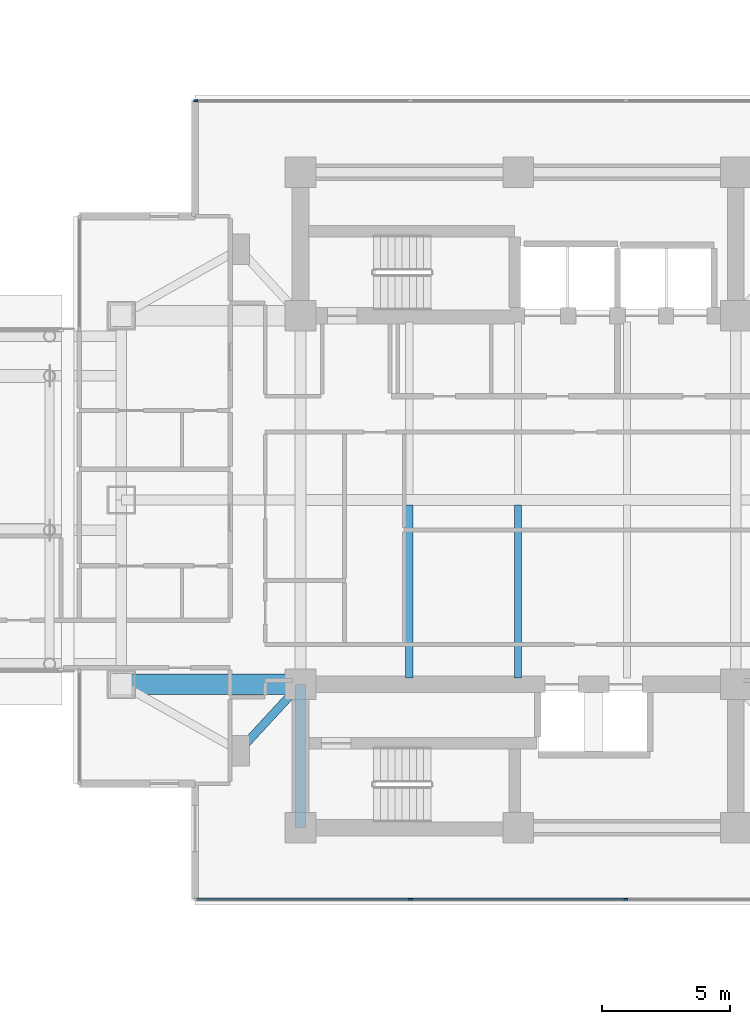
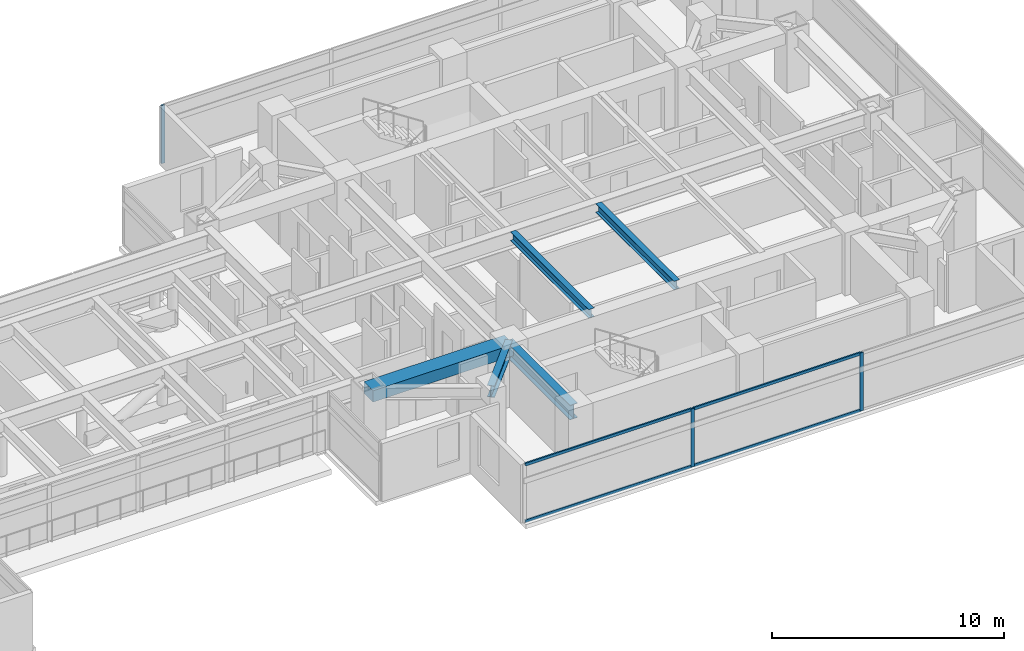
# One storey, part 8 of 29: 7 members, 5 beams, 2 elements without a shape of their own.
"""IFC4 building model written with IfcOpenShell, lengths in metres."""

from ifc_helpers import new_model, si_unit, direction, frame, origin, origin_2d, place, context, subcontext, project, spatial, rectangle, i_section, extrude, material, material_profile, profile_set, type_object, element, aggregate, save


model = new_model("IFC4")

# Units and contexts
model_context = context("Model", 3, precision=1e-05, world=origin(), true_north=direction((0.0, 1.0)))
body_context = subcontext(model_context, "Body", "Model", "MODEL_VIEW")
ifc_project = project(units=[si_unit("LENGTHUNIT", "METRE"), si_unit("AREAUNIT", "SQUARE_METRE"), si_unit("VOLUMEUNIT", "CUBIC_METRE"), si_unit("PLANEANGLEUNIT", "RADIAN"), si_unit("MASSUNIT", "GRAM", prefix="KILO")], contexts=[model_context])

# Site, building, storey
site_placement = place(None, origin())
site = spatial("IfcSite", under=ifc_project, at=site_placement, CompositionType="ELEMENT")
building_placement = place(site_placement, origin())
building = spatial("IfcBuilding", under=site, at=building_placement, Name="Mirazonda Arch Towers", CompositionType="ELEMENT")
storey_placement = place(building_placement, frame((0.0, 0.0, 88.39990234375)))
storey = spatial("IfcBuildingStorey", under=building, at=storey_placement, Name="L24", CompositionType="ELEMENT", Elevation=88.39990234375)

# Beams
ifc_material_1 = material(Name="Steel ASTM A992 Grade 50", Category="steel")
ifc_material_profile_1 = material_profile(ifc_material_1, i_section(OverallWidth=0.280029296875, OverallDepth=0.462890625, WebThickness=0.0107421875, FlangeThickness=0.017333984375, at=origin_2d()), Name="W18X76")
ifc_profile_set_1 = profile_set([ifc_material_profile_1], Name="Steel ASTM A992 Grade 50")
beam_type_1 = type_object("IfcBeamType", Name="BM-INT-W18X76", PredefinedType="JOIST", material=ifc_profile_set_1)
for number, where, z_axis, x_axis, name in (
    (1, (72.25, 21.0400390625, 2.8486328125), (0.0, 1.0, 0.0), (-1.0, 0.0, 0.0), "L24 Floor Beam BM-T2-L24-J-722-20"),
    (2, (76.5, 21.0400390625, 2.8486328125), (0.0, 1.0, 0.0), (-1.0, 0.0, 0.0), "L24 Floor Beam BM-T2-L24-J-765-20"),
):
    element("IfcBeam", number, at=place(storey_placement, frame(where, z_axis=z_axis, x_axis=x_axis)), inside=storey, type_object=beam_type_1, Name=name, PredefinedType="JOIST", context=body_context, shape_type="SweptSolid", body=[
        extrude(i_section(OverallWidth=0.280029296875, OverallDepth=0.462890625, WebThickness=0.0107421875, FlangeThickness=0.017333984375, at=origin_2d()), origin(), (0.0, 0.0, 1.0), 6.7548828125),
    ])
ifc_material_profile_2 = material_profile(ifc_material_1, i_section(OverallWidth=0.324951171875, OverallDepth=0.615966796875, WebThickness=0.013916015625, FlangeThickness=0.021484375, at=origin_2d()), Name="W24X117")
ifc_profile_set_2 = profile_set([ifc_material_profile_2], Name="Steel ASTM A992 Grade 50")
beam_type_2 = type_object("IfcBeamType", Name="BM-INT-W24X117", PredefinedType="BEAM", material=ifc_profile_set_2)
beam_1_placement = place(storey_placement, frame((65.60009765625, 18.199951171875, 2.772216796875), z_axis=(0.678251444854, 0.734829897019, 0.0), x_axis=(-0.734829897019, 0.678251444854, 0.0)))
element("IfcBeam", 3, at=beam_1_placement, inside=storey, type_object=beam_type_2, Name="L24 Floor Beam BM-T2-L24-PL-SW1", PredefinedType="BEAM", context=body_context, shape_type="SweptSolid", body=[
    extrude(i_section(OverallWidth=0.324951171875, OverallDepth=0.615966796875, WebThickness=0.013916015625, FlangeThickness=0.021484375, at=origin_2d()), origin(), (0.0, 0.0, 1.0), 3.538330078125),
])
ifc_material_profile_3 = material_profile(ifc_material_1, i_section(OverallWidth=0.381103515625, OverallDepth=0.77294921875, WebThickness=0.0166015625, FlangeThickness=0.027099609375, at=origin_2d()), Name="W30X173")
ifc_profile_set_3 = profile_set([ifc_material_profile_3], Name="Steel ASTM A992 Grade 50")
beam_type_3 = type_object("IfcBeamType", Name="BM-INT-W30X173", PredefinedType="USERDEFINED", material=ifc_profile_set_3)
beam_2_placement = place(storey_placement, frame((68.0, 15.199951171875, 2.693603515625), z_axis=(0.0, 1.0, 0.0), x_axis=(-1.0, 0.0, 0.0)))
element("IfcBeam", 4, at=beam_2_placement, inside=storey, type_object=beam_type_3, Name="L24 Floor Beam BM-T2-L24-CSW", ObjectType="GIRDER", PredefinedType="USERDEFINED", context=body_context, shape_type="SweptSolid", body=[
    extrude(i_section(OverallWidth=0.381103515625, OverallDepth=0.77294921875, WebThickness=0.0166015625, FlangeThickness=0.027099609375, at=origin_2d()), origin(), (0.0, 0.0, 1.0), 5.60009765625),
])
ifc_material_2 = material(Name="Concrete C60/75", Category="concrete")
ifc_material_profile_4 = material_profile(ifc_material_2, rectangle(XDim=0.800048828125, YDim=0.60009765625, at=origin_2d()), Name="RCCB800x600")
ifc_profile_set_4 = profile_set([ifc_material_profile_4], Name="Concrete C60/75")
beam_type_4 = type_object("IfcBeamType", Name="CB-INT-RCCB800x600", PredefinedType="SPANDREL", material=ifc_profile_set_4)
beam_3_placement = place(storey_placement, frame((61.0, 20.800048828125, 2.780029296875), z_axis=(1.0, 0.0, 0.0), x_axis=(0.0, 1.0, 0.0)))
element("IfcBeam", 5, at=beam_3_placement, inside=storey, type_object=beam_type_4, Name="L24 Floor Beam CBC-T2-L24-SW", PredefinedType="SPANDREL", context=body_context, shape_type="SweptSolid", body=[
    extrude(rectangle(XDim=0.800048828125, YDim=0.60009765625, at=origin_2d()), origin(), (0.0, 0.0, 1.0), 7.0),
])

# Curtain wall, members
ifc_material_3 = material(Name="Anodised Aluminium and Low-E Glass", Category="aluminium")
curtain_wall_type = type_object("IfcCurtainWallType", Name="CW-HTL-UNIT", PredefinedType="NOTDEFINED", material=ifc_material_3)
curtain_wall_1_placement = place(storey_placement, origin())
curtain_wall_1 = element("IfcCurtainWall", 6, at=curtain_wall_1_placement, inside=storey, type_object=curtain_wall_type, Name="L24 T2 S Facade CW-L24-T2-S", PredefinedType="NOTDEFINED")
ifc_material_4 = material(Name="Anodised Aluminium Alloy", Category="aluminium")
ifc_material_profile_5 = material_profile(ifc_material_4, rectangle(XDim=0.074951171875, YDim=0.1650390625, at=origin_2d()), Name="ALU-MULL-75x165")
ifc_profile_set_5 = profile_set([ifc_material_profile_5], Name="Anodised Aluminium Alloy")
member_type_1 = type_object("IfcMemberType", Name="MULL-CW-HTL-UNIT", PredefinedType="MULLION", material=ifc_profile_set_5)
member_1_placement = place(storey_placement, frame((80.708740234375, 12.402587890625, 0.0), z_axis=(0.0, 0.0, 1.0), x_axis=(0.0, -1.0, 0.0)))
member_1 = element("IfcMember", 7, at=member_1_placement, type_object=member_type_1, Name="CW-112 mullion 2", PredefinedType="MULLION", context=body_context, shape_type="SweptSolid", body=[
    extrude(rectangle(XDim=0.074951171875, YDim=0.1650390625, at=origin_2d()), origin(), (0.0, 0.0, 1.0), 3.06005859375),
])
member_2_placement = place(storey_placement, frame((72.291259765625, 12.402587890625, 0.0), z_axis=(0.0, 0.0, 1.0), x_axis=(0.0, -1.0, 0.0)))
member_2 = element("IfcMember", 8, at=member_2_placement, type_object=member_type_1, Name="CW-112 mullion 3", PredefinedType="MULLION", context=body_context, shape_type="SweptSolid", body=[
    extrude(rectangle(XDim=0.074951171875, YDim=0.1650390625, at=origin_2d()), origin(), (0.0, 0.0, 1.0), 3.06005859375),
])

# Curtain wall, member
curtain_wall_2_placement = place(storey_placement, origin())
curtain_wall_2 = element("IfcCurtainWall", 9, at=curtain_wall_2_placement, inside=storey, type_object=curtain_wall_type, Name="L24 T2 N Facade CW-L24-T2-N", PredefinedType="NOTDEFINED")
member_3_placement = place(storey_placement, frame((63.911376953125, 43.597412109375, 0.0), z_axis=(0.0, 0.0, 1.0), x_axis=(0.0, 1.0, 0.0)))
member_3 = element("IfcMember", 10, at=member_3_placement, type_object=member_type_1, Name="CW-112 mullion 1", PredefinedType="MULLION", context=body_context, shape_type="SweptSolid", body=[
    extrude(rectangle(XDim=0.074951171875, YDim=0.1650390625, at=origin_2d()), origin(), (0.0, 0.0, 1.0), 3.06005859375),
])
aggregate(curtain_wall_2, [member_3])

# Member
ifc_material_profile_6 = material_profile(ifc_material_4, rectangle(XDim=0.074951171875, YDim=0.14501953125, at=origin_2d()), Name="ALU-TRAN-75x145")
ifc_profile_set_6 = profile_set([ifc_material_profile_6], Name="Anodised Aluminium Alloy")
member_type_2 = type_object("IfcMemberType", Name="TRAN-CW-HTL-UNIT", PredefinedType="USERDEFINED", material=ifc_profile_set_6)
member_4_placement = place(storey_placement, frame((80.671142578125, 12.402587890625, 0.03759765625), z_axis=(-1.0, 0.0, 0.0), x_axis=(0.0, -1.0, 0.0)))
member_4 = element("IfcMember", 11, at=member_4_placement, type_object=member_type_2, Name="CW-112 transom 2.1", ObjectType="TRANSOM", PredefinedType="USERDEFINED", context=body_context, shape_type="SweptSolid", body=[
    extrude(rectangle(XDim=0.074951171875, YDim=0.14501953125, at=origin_2d()), origin(), (0.0, 0.0, 1.0), 8.34228515625),
])

member_5_placement = place(storey_placement, frame((80.671142578125, 12.402587890625, 3.022705078125), z_axis=(-1.0, 0.0, 0.0), x_axis=(0.0, -1.0, 0.0)))
member_5 = element("IfcMember", 12, at=member_5_placement, type_object=member_type_2, Name="CW-112 transom 2.2", ObjectType="TRANSOM", PredefinedType="USERDEFINED", context=body_context, shape_type="SweptSolid", body=[
    extrude(rectangle(XDim=0.074951171875, YDim=0.14501953125, at=origin_2d()), origin(), (0.0, 0.0, 1.0), 8.34228515625),
])

member_6_placement = place(storey_placement, frame((72.253662109375, 12.402587890625, 0.03759765625), z_axis=(-1.0, 0.0, 0.0), x_axis=(0.0, -1.0, 0.0)))
member_6 = element("IfcMember", 13, at=member_6_placement, type_object=member_type_2, Name="CW-112 transom 3.1", ObjectType="TRANSOM", PredefinedType="USERDEFINED", context=body_context, shape_type="SweptSolid", body=[
    extrude(rectangle(XDim=0.074951171875, YDim=0.14501953125, at=origin_2d()), origin(), (0.0, 0.0, 1.0), 8.304931640625),
])

member_7_placement = place(storey_placement, frame((72.253662109375, 12.402587890625, 3.022705078125), z_axis=(-1.0, 0.0, 0.0), x_axis=(0.0, -1.0, 0.0)))
member_7 = element("IfcMember", 14, at=member_7_placement, type_object=member_type_2, Name="CW-112 transom 3.2", ObjectType="TRANSOM", PredefinedType="USERDEFINED", context=body_context, shape_type="SweptSolid", body=[
    extrude(rectangle(XDim=0.074951171875, YDim=0.14501953125, at=origin_2d()), origin(), (0.0, 0.0, 1.0), 8.304931640625),
])

aggregate(curtain_wall_1, [member_1, member_2, member_4, member_5, member_6, member_7])

save(model, "model.ifc")
